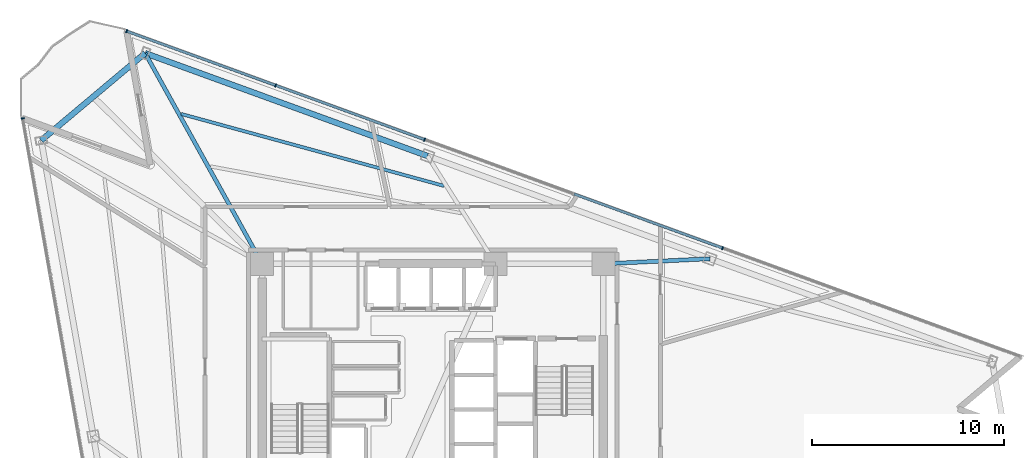
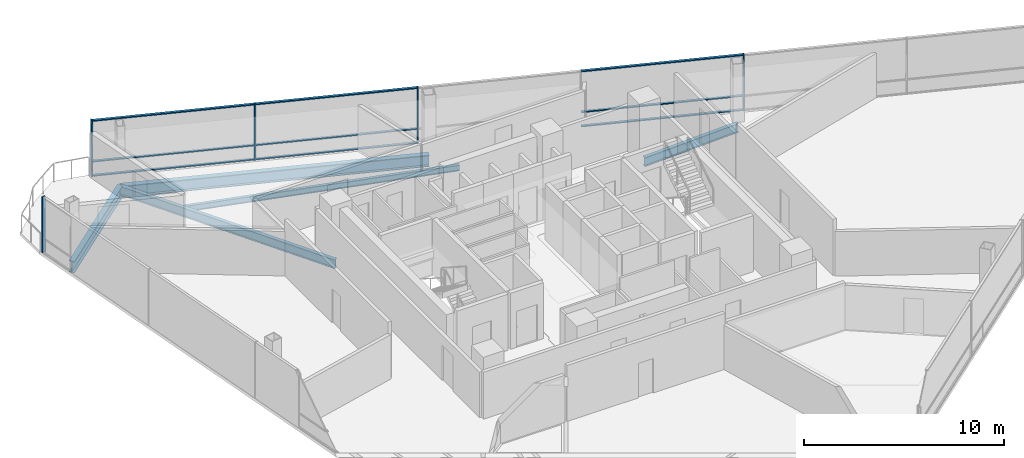
# One storey, part 7 of 15: 14 members, 5 beams, 2 elements without a shape of their own.
"""IFC4 building model written with IfcOpenShell, lengths in metres."""

from ifc_helpers import new_model, si_unit, direction, frame, origin, origin_2d, place, context, subcontext, project, spatial, rectangle, i_section, extrude, material, layer, layer_set, material_profile, profile_set, type_object, element, aggregate, save


model = new_model("IFC4")

# Units and contexts
model_context = context("Model", 3, precision=1e-05, world=origin(), true_north=direction((0.0, 1.0)))
body_context = subcontext(model_context, "Body", "Model", "MODEL_VIEW")
ifc_project = project(units=[si_unit("LENGTHUNIT", "METRE"), si_unit("AREAUNIT", "SQUARE_METRE"), si_unit("VOLUMEUNIT", "CUBIC_METRE"), si_unit("PLANEANGLEUNIT", "RADIAN"), si_unit("MASSUNIT", "GRAM", prefix="KILO")], contexts=[model_context])

# Site, building, storey
site_placement = place(None, origin())
site = spatial("IfcSite", under=ifc_project, at=site_placement, CompositionType="ELEMENT")
building_placement = place(site_placement, origin())
building = spatial("IfcBuilding", under=site, at=building_placement, Name="Tharavind Bronze Gate", CompositionType="ELEMENT")
storey_placement = place(building_placement, frame((0.0, 0.0, 174.10009765625)))
storey = spatial("IfcBuildingStorey", under=building, at=storey_placement, Name="L44", CompositionType="ELEMENT", Elevation=174.10009765625)

# Curtain wall, member
ifc_material_1 = material(Name="Anodised Bronze Aluminium", Category="aluminium")
ifc_layer = layer(ifc_material_1, 0.219970703125)
ifc_layer_set = layer_set([ifc_layer], Name="Anodised Bronze Aluminium")
curtain_wall_type = type_object("IfcCurtainWallType", Name="UNITISED CURTAIN WALL MID OFFICE", PredefinedType="USERDEFINED", material=ifc_layer_set)
curtain_wall_1_placement = place(storey_placement, origin())
curtain_wall_1 = element("IfcCurtainWall", 1, at=curtain_wall_1_placement, inside=storey, type_object=curtain_wall_type, Name="L44 unitised curtain wall mid office CW-L44-S1", ObjectType="UNITISED CURTAIN WALL", PredefinedType="USERDEFINED")
member_type_1 = type_object("IfcMemberType", Name="CURTAIN WALL BRONZE MULLION 65X180", PredefinedType="MULLION", material=ifc_material_1)
member_1_placement = place(storey_placement, frame((-21.396728515625, 15.1923828125, 0.0), z_axis=(0.0, 0.0, 1.0), x_axis=(0.173648177667, -0.984807753012, 0.0)))
member_1 = element("IfcMember", 2, at=member_1_placement, type_object=member_type_1, Name="CW-L44-S1 mullion 1", PredefinedType="MULLION", context=body_context, shape_type="SweptSolid", body=[
    extrude(rectangle(XDim=0.06494140625, YDim=0.179931640625, at=origin_2d()), origin(), (0.0, 0.0, 1.0), 3.419921875),
])
aggregate(curtain_wall_1, [member_1])

# Curtain wall, members
curtain_wall_2_placement = place(storey_placement, origin())
curtain_wall_2 = element("IfcCurtainWall", 3, at=curtain_wall_2_placement, inside=storey, type_object=curtain_wall_type, Name="L44 unitised curtain wall mid office CW-L44-S3", ObjectType="UNITISED CURTAIN WALL", PredefinedType="USERDEFINED")
member_2_placement = place(storey_placement, frame((15.12451171875, 8.424560546875, 0.0), z_axis=(0.0, 0.0, 1.0), x_axis=(-0.939692023847, 0.342021783398, 0.0)))
member_2 = element("IfcMember", 4, at=member_2_placement, type_object=member_type_1, Name="CW-L44-S3 mullion 3", PredefinedType="MULLION", context=body_context, shape_type="SweptSolid", body=[
    extrude(rectangle(XDim=0.06494140625, YDim=0.179931640625, at=origin_2d()), origin(), (0.0, 0.0, 1.0), 3.419921875),
])
member_3_placement = place(storey_placement, frame((-0.42431640625, 14.083984375, 0.0), z_axis=(0.0, 0.0, 1.0), x_axis=(-0.939692023847, 0.342021783398, 0.0)))
member_3 = element("IfcMember", 5, at=member_3_placement, type_object=member_type_1, Name="CW-L44-S3 mullion 5", PredefinedType="MULLION", context=body_context, shape_type="SweptSolid", body=[
    extrude(rectangle(XDim=0.06494140625, YDim=0.179931640625, at=origin_2d()), origin(), (0.0, 0.0, 1.0), 3.419921875),
])
member_4_placement = place(storey_placement, frame((-8.19873046875, 16.91357421875, 0.0), z_axis=(0.0, 0.0, 1.0), x_axis=(-0.939692023847, 0.342021783398, 0.0)))
member_4 = element("IfcMember", 6, at=member_4_placement, type_object=member_type_1, Name="CW-L44-S3 mullion 6", PredefinedType="MULLION", context=body_context, shape_type="SweptSolid", body=[
    extrude(rectangle(XDim=0.06494140625, YDim=0.179931640625, at=origin_2d()), origin(), (0.0, 0.0, 1.0), 3.419921875),
])
member_5_placement = place(storey_placement, frame((-15.97314453125, 19.743408203125, 0.0), z_axis=(0.0, 0.0, 1.0), x_axis=(-0.939692023847, 0.342021783398, 0.0)))
member_5 = element("IfcMember", 7, at=member_5_placement, type_object=member_type_1, Name="CW-L44-S3 mullion 7", PredefinedType="MULLION", context=body_context, shape_type="SweptSolid", body=[
    extrude(rectangle(XDim=0.06494140625, YDim=0.179931640625, at=origin_2d()), origin(), (0.0, 0.0, 1.0), 3.419921875),
])
member_type_2 = type_object("IfcMemberType", Name="CURTAIN WALL BRONZE TRANSOM 65X140", PredefinedType="USERDEFINED", material=ifc_material_1)
member_6_placement = place(storey_placement, frame((11.2373046875, 9.839599609375, 0.0), z_axis=(0.0, 0.0, 1.0), x_axis=(-0.939692023847, 0.342021783398, 0.0)))
member_6 = element("IfcMember", 8, at=member_6_placement, type_object=member_type_2, Name="CW-L44-S3 transom TB3", ObjectType="TRANSOM", PredefinedType="USERDEFINED", context=body_context, shape_type="SweptSolid", body=[
    extrude(rectangle(XDim=8.220458984375, YDim=0.139892578125, at=origin_2d()), origin(), (0.0, 0.0, 1.0), 0.06494140625),
])
member_7_placement = place(storey_placement, frame((11.2373046875, 9.839599609375, 0.867431640625), z_axis=(0.0, 0.0, 1.0), x_axis=(-0.939692023847, 0.342021783398, 0.0)))
member_7 = element("IfcMember", 9, at=member_7_placement, type_object=member_type_2, Name="CW-L44-S3 transom TS3", ObjectType="TRANSOM", PredefinedType="USERDEFINED", context=body_context, shape_type="SweptSolid", body=[
    extrude(rectangle(XDim=8.220458984375, YDim=0.139892578125, at=origin_2d()), origin(), (0.0, 0.0, 1.0), 0.06494140625),
])
member_8_placement = place(storey_placement, frame((11.2373046875, 9.839599609375, 3.35498046875), z_axis=(0.0, 0.0, 1.0), x_axis=(-0.939692023847, 0.342021783398, 0.0)))
member_8 = element("IfcMember", 10, at=member_8_placement, type_object=member_type_2, Name="CW-L44-S3 transom TT3", ObjectType="TRANSOM", PredefinedType="USERDEFINED", context=body_context, shape_type="SweptSolid", body=[
    extrude(rectangle(XDim=8.220458984375, YDim=0.139892578125, at=origin_2d()), origin(), (0.0, 0.0, 1.0), 0.06494140625),
])
member_9_placement = place(storey_placement, frame((-4.3115234375, 15.498779296875, 0.0), z_axis=(0.0, 0.0, 1.0), x_axis=(-0.939692023847, 0.342021783398, 0.0)))
member_9 = element("IfcMember", 11, at=member_9_placement, type_object=member_type_2, Name="CW-L44-S3 transom TB5", ObjectType="TRANSOM", PredefinedType="USERDEFINED", context=body_context, shape_type="SweptSolid", body=[
    extrude(rectangle(XDim=8.220458984375, YDim=0.139892578125, at=origin_2d()), origin(), (0.0, 0.0, 1.0), 0.06494140625),
])
member_10_placement = place(storey_placement, frame((-4.3115234375, 15.498779296875, 0.867431640625), z_axis=(0.0, 0.0, 1.0), x_axis=(-0.939692023847, 0.342021783398, 0.0)))
member_10 = element("IfcMember", 12, at=member_10_placement, type_object=member_type_2, Name="CW-L44-S3 transom TS5", ObjectType="TRANSOM", PredefinedType="USERDEFINED", context=body_context, shape_type="SweptSolid", body=[
    extrude(rectangle(XDim=8.220458984375, YDim=0.139892578125, at=origin_2d()), origin(), (0.0, 0.0, 1.0), 0.06494140625),
])
member_11_placement = place(storey_placement, frame((-4.3115234375, 15.498779296875, 3.35498046875), z_axis=(0.0, 0.0, 1.0), x_axis=(-0.939692023847, 0.342021783398, 0.0)))
member_11 = element("IfcMember", 13, at=member_11_placement, type_object=member_type_2, Name="CW-L44-S3 transom TT5", ObjectType="TRANSOM", PredefinedType="USERDEFINED", context=body_context, shape_type="SweptSolid", body=[
    extrude(rectangle(XDim=8.220458984375, YDim=0.139892578125, at=origin_2d()), origin(), (0.0, 0.0, 1.0), 0.06494140625),
])
member_12_placement = place(storey_placement, frame((-12.0859375, 18.32861328125, 0.0), z_axis=(0.0, 0.0, 1.0), x_axis=(-0.939692023847, 0.342021783398, 0.0)))
member_12 = element("IfcMember", 14, at=member_12_placement, type_object=member_type_2, Name="CW-L44-S3 transom TB6", ObjectType="TRANSOM", PredefinedType="USERDEFINED", context=body_context, shape_type="SweptSolid", body=[
    extrude(rectangle(XDim=8.220458984375, YDim=0.139892578125, at=origin_2d()), origin(), (0.0, 0.0, 1.0), 0.06494140625),
])
member_13_placement = place(storey_placement, frame((-12.0859375, 18.32861328125, 0.867431640625), z_axis=(0.0, 0.0, 1.0), x_axis=(-0.939692023847, 0.342021783398, 0.0)))
member_13 = element("IfcMember", 15, at=member_13_placement, type_object=member_type_2, Name="CW-L44-S3 transom TS6", ObjectType="TRANSOM", PredefinedType="USERDEFINED", context=body_context, shape_type="SweptSolid", body=[
    extrude(rectangle(XDim=8.220458984375, YDim=0.139892578125, at=origin_2d()), origin(), (0.0, 0.0, 1.0), 0.06494140625),
])
member_14_placement = place(storey_placement, frame((-12.0859375, 18.32861328125, 3.35498046875), z_axis=(0.0, 0.0, 1.0), x_axis=(-0.939692023847, 0.342021783398, 0.0)))
member_14 = element("IfcMember", 16, at=member_14_placement, type_object=member_type_2, Name="CW-L44-S3 transom TT6", ObjectType="TRANSOM", PredefinedType="USERDEFINED", context=body_context, shape_type="SweptSolid", body=[
    extrude(rectangle(XDim=8.220458984375, YDim=0.139892578125, at=origin_2d()), origin(), (0.0, 0.0, 1.0), 0.06494140625),
])
aggregate(curtain_wall_2, [member_2, member_3, member_4, member_5, member_6, member_7, member_8, member_9, member_10, member_11, member_12, member_13, member_14])

# Beams
ifc_material_2 = material(Name="Steel S355", Category="steel")
ifc_material_profile_1 = material_profile(ifc_material_2, i_section(OverallWidth=0.2099609375, OverallDepth=0.550048828125, WebThickness=0.010986328125, FlangeThickness=0.01708984375, at=origin_2d()), Name="IPE550")
ifc_profile_set_1 = profile_set([ifc_material_profile_1], Name="Steel S355")
beam_type_1 = type_object("IfcBeamType", Name="PRIMARY GIRDER IPE550", PredefinedType="USERDEFINED", material=ifc_profile_set_1)
beam_1_placement = place(storey_placement, frame((14.461181640625, 7.867919921875, -0.455078125), z_axis=(-0.998842397835, -0.048102643243, 0.0), x_axis=(0.048102643243, -0.998842397835, 0.0)))
element("IfcBeam", 17, at=beam_1_placement, inside=storey, type_object=beam_type_1, Name="L44 primary girder ipe550 BM-L44-RAD10", ObjectType="GIRDER", PredefinedType="USERDEFINED", context=body_context, shape_type="SweptSolid", body=[
    extrude(i_section(OverallWidth=0.2099609375, OverallDepth=0.550048828125, WebThickness=0.010986328125, FlangeThickness=0.01708984375, at=origin_2d()), origin(), (0.0, 0.0, 1.0), 5.567626953125),
])
beam_2_placement = place(storey_placement, frame((-15.0087890625, 18.59423828125, -0.455078125), z_axis=(0.485705558329, -0.874122480324, 0.0), x_axis=(0.874122480324, 0.485705558329, 0.0)))
element("IfcBeam", 18, at=beam_2_placement, inside=storey, type_object=beam_type_1, Name="L44 primary girder ipe550 BM-L44-RAD12", ObjectType="GIRDER", PredefinedType="USERDEFINED", context=body_context, shape_type="SweptSolid", body=[
    extrude(i_section(OverallWidth=0.2099609375, OverallDepth=0.550048828125, WebThickness=0.010986328125, FlangeThickness=0.01708984375, at=origin_2d()), origin(), (0.0, 0.0, 1.0), 12.577392578125),
])
ifc_material_profile_2 = material_profile(ifc_material_2, i_section(OverallWidth=0.300048828125, OverallDepth=0.699951171875, WebThickness=0.01708984375, FlangeThickness=0.031982421875, at=origin_2d()), Name="HE700B")
ifc_profile_set_2 = profile_set([ifc_material_profile_2], Name="Steel S355")
beam_type_2 = type_object("IfcBeamType", Name="RING GIRDER HE700B", PredefinedType="USERDEFINED", material=ifc_profile_set_2)
beam_3_placement = place(storey_placement, frame((-0.27392578125, 13.231201171875, -0.530029296875), z_axis=(-0.939692918618, 0.342019325037, 0.0), x_axis=(-0.342019325037, -0.939692918618, 0.0)))
element("IfcBeam", 19, at=beam_3_placement, inside=storey, type_object=beam_type_2, Name="L44 ring girder he700b BM-L44-PRG11", ObjectType="GIRDER", PredefinedType="USERDEFINED", context=body_context, shape_type="SweptSolid", body=[
    extrude(i_section(OverallWidth=0.300048828125, OverallDepth=0.699951171875, WebThickness=0.01708984375, FlangeThickness=0.031982421875, at=origin_2d()), origin(), (0.0, 0.0, 1.0), 15.680419921875),
])
beam_4_placement = place(storey_placement, frame((-15.0087890625, 18.59423828125, -0.530029296875), z_axis=(-0.766051869817, -0.642778758789, 0.0), x_axis=(0.642778758789, -0.766051869817, 0.0)))
element("IfcBeam", 20, at=beam_4_placement, inside=storey, type_object=beam_type_2, Name="L44 ring girder he700b BM-L44-PRG12", ObjectType="GIRDER", PredefinedType="USERDEFINED", context=body_context, shape_type="SweptSolid", body=[
    extrude(i_section(OverallWidth=0.300048828125, OverallDepth=0.699951171875, WebThickness=0.01708984375, FlangeThickness=0.031982421875, at=origin_2d()), origin(), (0.0, 0.0, 1.0), 7.080322265625),
])
ifc_material_profile_3 = material_profile(ifc_material_2, i_section(OverallWidth=0.169921875, OverallDepth=0.360107421875, WebThickness=0.008056640625, FlangeThickness=0.0126953125, at=origin_2d()), Name="IPE360")
ifc_profile_set_3 = profile_set([ifc_material_profile_3], Name="Steel S355")
beam_type_3 = type_object("IfcBeamType", Name="SECONDARY FLOOR JOIST IPE360", PredefinedType="JOIST", material=ifc_profile_set_3)
beam_5_placement = place(storey_placement, frame((0.5849609375, 11.66845703125, -0.360107421875), z_axis=(-0.964511642121, 0.264040323081, 0.0), x_axis=(-0.264040323081, -0.964511642121, 0.0)))
element("IfcBeam", 21, at=beam_5_placement, inside=storey, type_object=beam_type_3, Name="L44 secondary floor joist ipe360 BM-L44-JSTB11", PredefinedType="JOIST", context=body_context, shape_type="SweptSolid", body=[
    extrude(i_section(OverallWidth=0.169921875, OverallDepth=0.360107421875, WebThickness=0.008056640625, FlangeThickness=0.0126953125, at=origin_2d()), origin(), (0.0, 0.0, 1.0), 14.211669921875),
])

save(model, "model.ifc")
